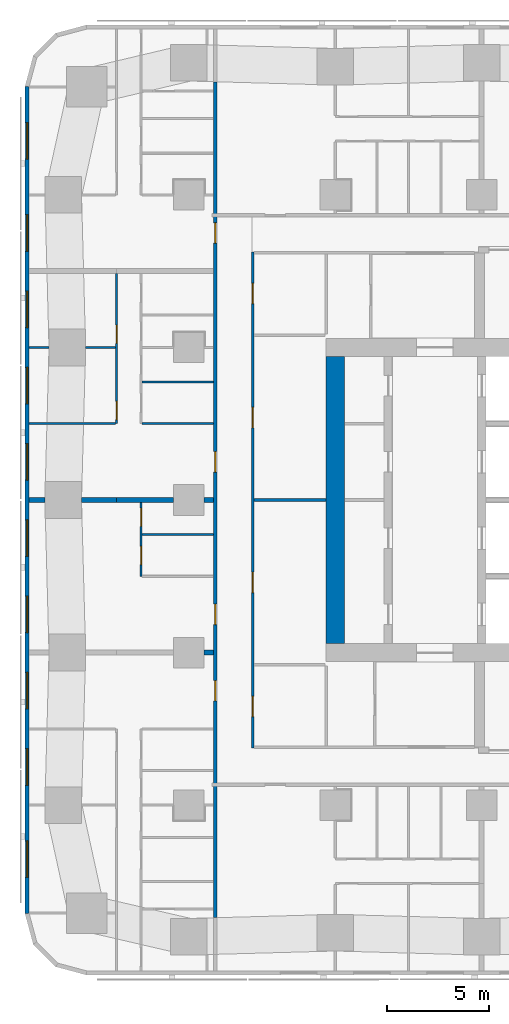
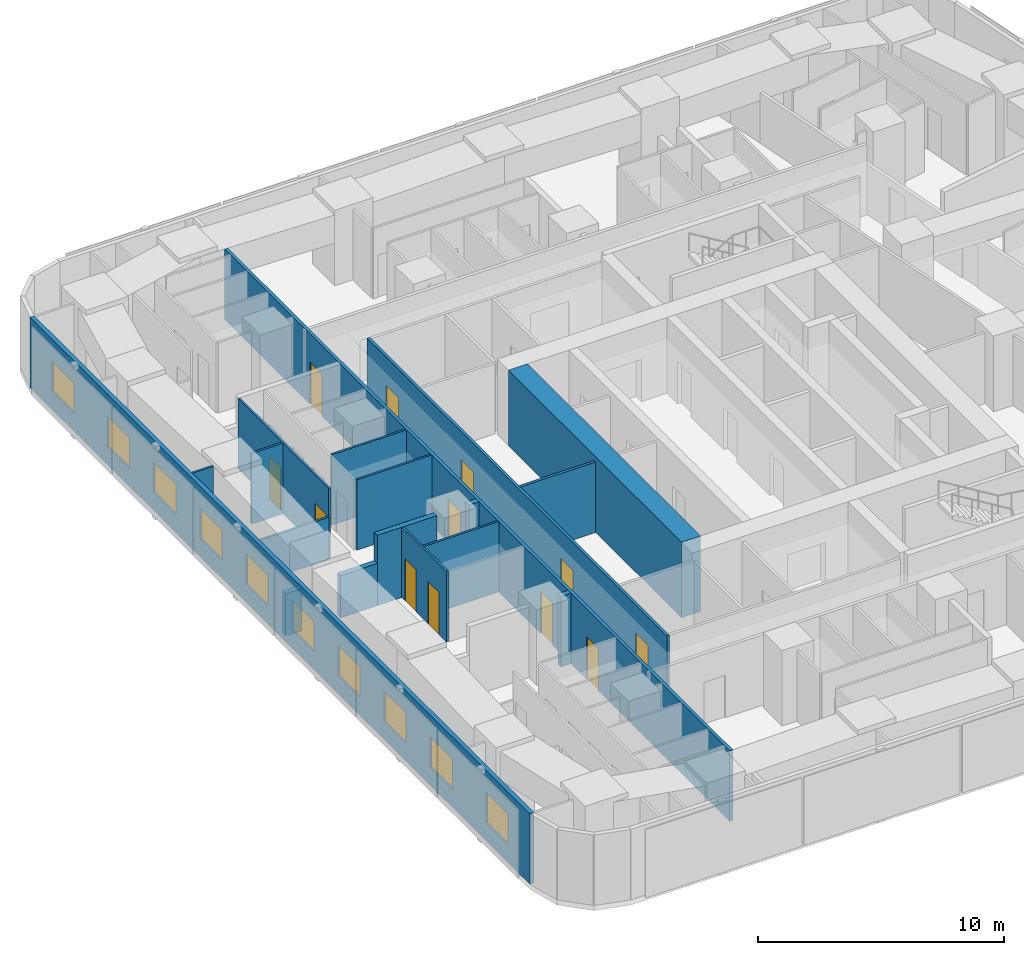
# One storey, part 4 of 15: 18 walls, 12 doors, 10 windows, 22 openings.
"""IFC4 building model written with IfcOpenShell, lengths in metres."""

from ifc_helpers import new_model, si_unit, direction, frame, frame_2d, origin, place, context, subcontext, project, spatial, rectangle, extrude, material, layer, layer_set, type_object, element, fill, save


model = new_model("IFC4")

# Units and contexts
model_context = context("Model", 3, precision=1e-05, world=origin(), true_north=direction((0.0, 1.0)))
body_context = subcontext(model_context, "Body", "Model", "MODEL_VIEW")
ifc_project = project(units=[si_unit("LENGTHUNIT", "METRE"), si_unit("AREAUNIT", "SQUARE_METRE"), si_unit("VOLUMEUNIT", "CUBIC_METRE"), si_unit("PLANEANGLEUNIT", "RADIAN"), si_unit("MASSUNIT", "GRAM", prefix="KILO")], contexts=[model_context])

# Site, building, storey
site_placement = place(None, origin())
site = spatial("IfcSite", under=ifc_project, at=site_placement, CompositionType="ELEMENT")
building_placement = place(site_placement, origin())
building = spatial("IfcBuilding", under=site, at=building_placement, Name="Sheger Commons Tower", CompositionType="ELEMENT")
storey_placement = place(building_placement, frame((0.0, 0.0, 180.800048828125)))
storey = spatial("IfcBuildingStorey", under=building, at=storey_placement, Name="L46", CompositionType="ELEMENT", Elevation=180.800048828125)

# Wall
ifc_material_1 = material(Name="Concrete C50/60", Category="concrete")
ifc_layer_1 = layer(ifc_material_1, 0.89990234375)
ifc_layer_set_1 = layer_set([ifc_layer_1], Name="CORE WALL 900")
wall_type_1 = type_object("IfcWallType", Name="CORE WALL 900", PredefinedType="SHEAR", material=ifc_layer_set_1)
wall_1_placement = place(storey_placement, frame((14.39990234375, 15.449951171875, 0.0), z_axis=(0.0, 0.0, 1.0), x_axis=(0.0, 1.0, 0.0)))
element("IfcWall", 1, at=wall_1_placement, inside=storey, type_object=wall_type_1, Name="Core wall west L46", PredefinedType="SHEAR", context=body_context, shape_type="SweptSolid", body=[
    extrude(rectangle(XDim=14.10009765625, YDim=0.89990234375, at=frame_2d((7.050048828125, 0.0))), origin(), (0.0, 0.0, 1.0), 3.75),
])

# Wall, openings, doors
ifc_material_2 = material(Name="Hollow concrete block masonry, skimmed both sides", Category="masonry")
ifc_layer_2 = layer(ifc_material_2, 0.14990234375)
ifc_layer_set_2 = layer_set([ifc_layer_2], Name="CORRIDOR WALL 150")
wall_type_2 = type_object("IfcWallType", Name="CORRIDOR WALL 150", PredefinedType="SOLIDWALL", material=ifc_layer_set_2)
wall_2_placement = place(storey_placement, frame((8.5, 1.964111328125, 0.0), z_axis=(0.0, 0.0, 1.0), x_axis=(0.0, 1.0, 0.0)))
wall_2 = element("IfcWall", 2, at=wall_2_placement, inside=storey, type_object=wall_type_2, Name="Corridor wall L46", PredefinedType="SOLIDWALL", context=body_context, shape_type="SweptSolid", body=[
    extrude(rectangle(XDim=41.096923828125, YDim=0.14990234375, at=frame_2d((20.54833984375, 0.0))), origin(), (0.0, 0.0, 1.0), 3.5),
])
opening_1_placement = place(wall_2_placement, frame((10.660888671875, 0.0, 0.0)))
opening_1 = element("IfcOpeningElement", 3, at=opening_1_placement, cuts=wall_2, Name="Opening D1", PredefinedType="OPENING", context=body_context, shape_type="SweptSolid", body=[
    extrude(rectangle(XDim=1.0, YDim=2.10009765625, at=frame_2d((0.5, 1.050048828125))), frame((0.0, 0.0849609375, 0.0), z_axis=(0.0, -1.0, 0.0), x_axis=(1.0, 0.0, 0.0)), (0.0, 0.0, 1.0), 0.169921875),
])
opening_2_placement = place(wall_2_placement, frame((14.410888671875, 0.0, 0.0)))
opening_2 = element("IfcOpeningElement", 4, at=opening_2_placement, cuts=wall_2, Name="Opening D1", PredefinedType="OPENING", context=body_context, shape_type="SweptSolid", body=[
    extrude(rectangle(XDim=1.0, YDim=2.10009765625, at=frame_2d((0.5, 1.050048828125))), frame((0.0, 0.0849609375, 0.0), z_axis=(0.0, -1.0, 0.0), x_axis=(1.0, 0.0, 0.0)), (0.0, 0.0, 1.0), 0.169921875),
])
opening_3_placement = place(wall_2_placement, frame((21.910888671875, 0.0, 0.0)))
opening_3 = element("IfcOpeningElement", 5, at=opening_3_placement, cuts=wall_2, Name="Opening D1", PredefinedType="OPENING", context=body_context, shape_type="SweptSolid", body=[
    extrude(rectangle(XDim=1.0, YDim=2.10009765625, at=frame_2d((0.5, 1.050048828125))), frame((0.0, 0.0849609375, 0.0), z_axis=(0.0, -1.0, 0.0), x_axis=(1.0, 0.0, 0.0)), (0.0, 0.0, 1.0), 0.169921875),
])
opening_4_placement = place(wall_2_placement, frame((33.160888671875, 0.0, 0.0)))
opening_4 = element("IfcOpeningElement", 6, at=opening_4_placement, cuts=wall_2, Name="Opening D1", PredefinedType="OPENING", context=body_context, shape_type="SweptSolid", body=[
    extrude(rectangle(XDim=1.0, YDim=2.10009765625, at=frame_2d((0.5, 1.050048828125))), frame((0.0, 0.0849609375, 0.0), z_axis=(0.0, -1.0, 0.0), x_axis=(1.0, 0.0, 0.0)), (0.0, 0.0, 1.0), 0.169921875),
])
ifc_material_3 = material(Name="Steel door set, fire rated", Category="steel")
door_type_1 = type_object("IfcDoorType", Name="FLAT ENTRANCE DOOR 1000x2100", OperationType="NOTDEFINED", PredefinedType="DOOR", material=ifc_material_3)
door_1_placement = place(opening_1_placement, origin())
door_1 = element("IfcDoor", 7, at=door_1_placement, inside=storey, type_object=door_type_1, Name="Flat entrance door", OperationType="SINGLE_SWING_LEFT", OverallHeight=2.10009765625, OverallWidth=1.0, PredefinedType="DOOR", context=body_context, shape_type="SweptSolid", body=[
    extrude(rectangle(XDim=1.0, YDim=2.10009765625, at=frame_2d((0.5, 1.050048828125))), frame((0.0, 0.02490234375, 0.0), z_axis=(0.0, -1.0, 0.0), x_axis=(1.0, 0.0, 0.0)), (0.0, 0.0, 1.0), 0.050048828125),
])
fill(opening_1, door_1)
door_2_placement = place(opening_2_placement, origin())
door_2 = element("IfcDoor", 8, at=door_2_placement, inside=storey, type_object=door_type_1, Name="Flat entrance door", OperationType="SINGLE_SWING_RIGHT", OverallHeight=2.10009765625, OverallWidth=1.0, PredefinedType="DOOR", context=body_context, shape_type="SweptSolid", body=[
    extrude(rectangle(XDim=1.0, YDim=2.10009765625, at=frame_2d((0.5, 1.050048828125))), frame((0.0, 0.02490234375, 0.0), z_axis=(0.0, -1.0, 0.0), x_axis=(1.0, 0.0, 0.0)), (0.0, 0.0, 1.0), 0.050048828125),
])
fill(opening_2, door_2)
door_3_placement = place(opening_3_placement, origin())
door_3 = element("IfcDoor", 9, at=door_3_placement, inside=storey, type_object=door_type_1, Name="Flat entrance door", OperationType="SINGLE_SWING_LEFT", OverallHeight=2.10009765625, OverallWidth=1.0, PredefinedType="DOOR", context=body_context, shape_type="SweptSolid", body=[
    extrude(rectangle(XDim=1.0, YDim=2.10009765625, at=frame_2d((0.5, 1.050048828125))), frame((0.0, 0.02490234375, 0.0), z_axis=(0.0, -1.0, 0.0), x_axis=(1.0, 0.0, 0.0)), (0.0, 0.0, 1.0), 0.050048828125),
])
fill(opening_3, door_3)
door_4_placement = place(opening_4_placement, origin())
door_4 = element("IfcDoor", 10, at=door_4_placement, inside=storey, type_object=door_type_1, Name="Flat entrance door", OperationType="SINGLE_SWING_RIGHT", OverallHeight=2.10009765625, OverallWidth=1.0, PredefinedType="DOOR", context=body_context, shape_type="SweptSolid", body=[
    extrude(rectangle(XDim=1.0, YDim=2.10009765625, at=frame_2d((0.5, 1.050048828125))), frame((0.0, 0.02490234375, 0.0), z_axis=(0.0, -1.0, 0.0), x_axis=(1.0, 0.0, 0.0)), (0.0, 0.0, 1.0), 0.050048828125),
])
fill(opening_4, door_4)

# Walls
ifc_material_4 = material(Name="Dense concrete block masonry, plastered both sides (separating wall between flats)", Category="masonry")
ifc_layer_3 = layer(ifc_material_4, 0.25)
ifc_layer_set_3 = layer_set([ifc_layer_3], Name="DEMISING WALL 250")
wall_type_3 = type_object("IfcWallType", Name="DEMISING WALL 250", PredefinedType="SOLIDWALL", material=ifc_layer_set_3)
wall_3_placement = place(storey_placement, frame((7.950927734375, 15.0, 0.0), z_axis=(0.0, 0.0, 1.0), x_axis=(1.0, 0.0, 0.0)))
element("IfcWall", 11, at=wall_3_placement, inside=storey, type_object=wall_type_3, Name="Demising wall L46", PredefinedType="SOLIDWALL", context=body_context, shape_type="SweptSolid", body=[
    extrude(rectangle(XDim=0.47412109375, YDim=0.25, at=frame_2d((0.237060546875, 0.0))), origin(), (0.0, 0.0, 1.0), 3.5),
])
wall_4_placement = place(storey_placement, frame((-0.64990234375, 22.5, 0.0), z_axis=(0.0, 0.0, 1.0), x_axis=(1.0, 0.0, 0.0)))
element("IfcWall", 12, at=wall_4_placement, inside=storey, type_object=wall_type_3, Name="Demising wall L46", PredefinedType="SOLIDWALL", context=body_context, shape_type="SweptSolid", body=[
    extrude(rectangle(XDim=0.77392578125, YDim=0.25, at=frame_2d((0.386962890625, 0.0))), origin(), (0.0, 0.0, 1.0), 2.099853515625),
])
wall_5_placement = place(storey_placement, frame((1.926025390625, 22.5, 0.0), z_axis=(0.0, 0.0, 1.0), x_axis=(1.0, 0.0, 0.0)))
element("IfcWall", 13, at=wall_5_placement, inside=storey, type_object=wall_type_3, Name="Demising wall L46", PredefinedType="SOLIDWALL", context=body_context, shape_type="SweptSolid", body=[
    extrude(rectangle(XDim=1.723876953125, YDim=0.25, at=frame_2d((0.86181640625, 0.0))), origin(), (0.0, 0.0, 1.0), 2.099853515625),
])
wall_6_placement = place(storey_placement, frame((3.64990234375, 22.5, 0.0), z_axis=(0.0, 0.0, 1.0), x_axis=(1.0, 0.0, 0.0)))
element("IfcWall", 14, at=wall_6_placement, inside=storey, type_object=wall_type_3, Name="Demising wall L46", PredefinedType="SOLIDWALL", context=body_context, shape_type="SweptSolid", body=[
    extrude(rectangle(XDim=2.799072265625, YDim=0.25, at=frame_2d((1.3994140625, 0.0))), origin(), (0.0, 0.0, 1.0), 3.5),
])
wall_7_placement = place(storey_placement, frame((7.950927734375, 22.5, 0.0), z_axis=(0.0, 0.0, 1.0), x_axis=(1.0, 0.0, 0.0)))
element("IfcWall", 15, at=wall_7_placement, inside=storey, type_object=wall_type_3, Name="Demising wall L46", PredefinedType="SOLIDWALL", context=body_context, shape_type="SweptSolid", body=[
    extrude(rectangle(XDim=0.47412109375, YDim=0.25, at=frame_2d((0.237060546875, 0.0))), origin(), (0.0, 0.0, 1.0), 3.5),
])

# Wall, openings, windows
ifc_material_5 = material(Name="Rendered concrete block masonry, dark grey", Category="masonry")
ifc_layer_4 = layer(ifc_material_5, 0.199951171875)
ifc_layer_set_4 = layer_set([ifc_layer_4], Name="FACADE WALL 200")
wall_type_4 = type_object("IfcWallType", Name="FACADE WALL 200", PredefinedType="SOLIDWALL", material=ifc_layer_set_4)
wall_8_placement = place(storey_placement, frame((-0.75, 42.8369140625, 0.0), z_axis=(0.0, 0.0, 1.0), x_axis=(0.0, -1.0, 0.0)))
wall_8 = element("IfcWall", 16, at=wall_8_placement, inside=storey, type_object=wall_type_4, Name="Facade wall L46", PredefinedType="SOLIDWALL", context=body_context, shape_type="SweptSolid", body=[
    extrude(rectangle(XDim=40.673828125, YDim=0.199951171875, at=frame_2d((20.3369140625, 0.0))), origin(), (0.0, 0.0, 1.0), 3.5),
])
opening_5_placement = place(wall_8_placement, frame((1.780029296875, 0.0, 0.89990234375)))
opening_5 = element("IfcOpeningElement", 17, at=opening_5_placement, cuts=wall_8, Name="Opening W2", PredefinedType="OPENING", context=body_context, shape_type="SweptSolid", body=[
    extrude(rectangle(XDim=1.800048828125, YDim=1.5, at=frame_2d((0.89990234375, 0.75))), frame((0.0, 0.10986328125, 0.0), z_axis=(0.0, -1.0, 0.0), x_axis=(1.0, 0.0, 0.0)), (0.0, 0.0, 1.0), 0.219970703125),
])
opening_6_placement = place(wall_8_placement, frame((6.31201171875, 0.0, 0.89990234375)))
opening_6 = element("IfcOpeningElement", 18, at=opening_6_placement, cuts=wall_8, Name="Opening W2", PredefinedType="OPENING", context=body_context, shape_type="SweptSolid", body=[
    extrude(rectangle(XDim=1.800048828125, YDim=1.5, at=frame_2d((0.89990234375, 0.75))), frame((0.0, 0.10986328125, 0.0), z_axis=(0.0, -1.0, 0.0), x_axis=(1.0, 0.0, 0.0)), (0.0, 0.0, 1.0), 0.219970703125),
])
opening_7_placement = place(wall_8_placement, frame((10.06201171875, 0.0, 0.89990234375)))
opening_7 = element("IfcOpeningElement", 19, at=opening_7_placement, cuts=wall_8, Name="Opening W2", PredefinedType="OPENING", context=body_context, shape_type="SweptSolid", body=[
    extrude(rectangle(XDim=1.800048828125, YDim=1.5, at=frame_2d((0.89990234375, 0.75))), frame((0.0, 0.10986328125, 0.0), z_axis=(0.0, -1.0, 0.0), x_axis=(1.0, 0.0, 0.0)), (0.0, 0.0, 1.0), 0.219970703125),
])
opening_8_placement = place(wall_8_placement, frame((13.81201171875, 0.0, 0.89990234375)))
opening_8 = element("IfcOpeningElement", 20, at=opening_8_placement, cuts=wall_8, Name="Opening W2", PredefinedType="OPENING", context=body_context, shape_type="SweptSolid", body=[
    extrude(rectangle(XDim=1.800048828125, YDim=1.5, at=frame_2d((0.89990234375, 0.75))), frame((0.0, 0.10986328125, 0.0), z_axis=(0.0, -1.0, 0.0), x_axis=(1.0, 0.0, 0.0)), (0.0, 0.0, 1.0), 0.219970703125),
])
opening_9_placement = place(wall_8_placement, frame((17.56201171875, 0.0, 0.89990234375)))
opening_9 = element("IfcOpeningElement", 21, at=opening_9_placement, cuts=wall_8, Name="Opening W2", PredefinedType="OPENING", context=body_context, shape_type="SweptSolid", body=[
    extrude(rectangle(XDim=1.800048828125, YDim=1.5, at=frame_2d((0.89990234375, 0.75))), frame((0.0, 0.10986328125, 0.0), z_axis=(0.0, -1.0, 0.0), x_axis=(1.0, 0.0, 0.0)), (0.0, 0.0, 1.0), 0.219970703125),
])
opening_10_placement = place(wall_8_placement, frame((21.31201171875, 0.0, 0.89990234375)))
opening_10 = element("IfcOpeningElement", 22, at=opening_10_placement, cuts=wall_8, Name="Opening W2", PredefinedType="OPENING", context=body_context, shape_type="SweptSolid", body=[
    extrude(rectangle(XDim=1.800048828125, YDim=1.5, at=frame_2d((0.89990234375, 0.75))), frame((0.0, 0.10986328125, 0.0), z_axis=(0.0, -1.0, 0.0), x_axis=(1.0, 0.0, 0.0)), (0.0, 0.0, 1.0), 0.219970703125),
])
opening_11_placement = place(wall_8_placement, frame((25.06201171875, 0.0, 0.89990234375)))
opening_11 = element("IfcOpeningElement", 23, at=opening_11_placement, cuts=wall_8, Name="Opening W2", PredefinedType="OPENING", context=body_context, shape_type="SweptSolid", body=[
    extrude(rectangle(XDim=1.800048828125, YDim=1.5, at=frame_2d((0.89990234375, 0.75))), frame((0.0, 0.10986328125, 0.0), z_axis=(0.0, -1.0, 0.0), x_axis=(1.0, 0.0, 0.0)), (0.0, 0.0, 1.0), 0.219970703125),
])
opening_12_placement = place(wall_8_placement, frame((28.81201171875, 0.0, 0.89990234375)))
opening_12 = element("IfcOpeningElement", 24, at=opening_12_placement, cuts=wall_8, Name="Opening W2", PredefinedType="OPENING", context=body_context, shape_type="SweptSolid", body=[
    extrude(rectangle(XDim=1.800048828125, YDim=1.5, at=frame_2d((0.89990234375, 0.75))), frame((0.0, 0.10986328125, 0.0), z_axis=(0.0, -1.0, 0.0), x_axis=(1.0, 0.0, 0.0)), (0.0, 0.0, 1.0), 0.219970703125),
])
opening_13_placement = place(wall_8_placement, frame((32.56201171875, 0.0, 0.89990234375)))
opening_13 = element("IfcOpeningElement", 25, at=opening_13_placement, cuts=wall_8, Name="Opening W2", PredefinedType="OPENING", context=body_context, shape_type="SweptSolid", body=[
    extrude(rectangle(XDim=1.800048828125, YDim=1.5, at=frame_2d((0.89990234375, 0.75))), frame((0.0, 0.10986328125, 0.0), z_axis=(0.0, -1.0, 0.0), x_axis=(1.0, 0.0, 0.0)), (0.0, 0.0, 1.0), 0.219970703125),
])
opening_14_placement = place(wall_8_placement, frame((37.093994140625, 0.0, 0.89990234375)))
opening_14 = element("IfcOpeningElement", 26, at=opening_14_placement, cuts=wall_8, Name="Opening W2", PredefinedType="OPENING", context=body_context, shape_type="SweptSolid", body=[
    extrude(rectangle(XDim=1.800048828125, YDim=1.5, at=frame_2d((0.89990234375, 0.75))), frame((0.0, 0.10986328125, 0.0), z_axis=(0.0, -1.0, 0.0), x_axis=(1.0, 0.0, 0.0)), (0.0, 0.0, 1.0), 0.219970703125),
])
ifc_material_6 = material(Name="Black aluminium frame, dark tinted double glazing", Category="aluminium")
window_type = type_object("IfcWindowType", Name="WINDOW W2 1800x1500", PartitioningType="SINGLE_PANEL", PredefinedType="WINDOW", material=ifc_material_6)
window_1_placement = place(opening_5_placement, origin())
window_1 = element("IfcWindow", 27, at=window_1_placement, inside=storey, type_object=window_type, Name="Window W2 1800X1500", OverallHeight=1.5, OverallWidth=1.800048828125, PartitioningType="SINGLE_PANEL", PredefinedType="WINDOW", context=body_context, shape_type="SweptSolid", body=[
    extrude(rectangle(XDim=1.800048828125, YDim=1.5, at=frame_2d((0.89990234375, 0.75))), frame((0.0, 0.030029296875, 0.0), z_axis=(0.0, -1.0, 0.0), x_axis=(1.0, 0.0, 0.0)), (0.0, 0.0, 1.0), 0.06005859375),
])
fill(opening_5, window_1)
window_2_placement = place(opening_6_placement, origin())
window_2 = element("IfcWindow", 28, at=window_2_placement, inside=storey, type_object=window_type, Name="Window W2 1800X1500", OverallHeight=1.5, OverallWidth=1.800048828125, PartitioningType="SINGLE_PANEL", PredefinedType="WINDOW", context=body_context, shape_type="SweptSolid", body=[
    extrude(rectangle(XDim=1.800048828125, YDim=1.5, at=frame_2d((0.89990234375, 0.75))), frame((0.0, 0.030029296875, 0.0), z_axis=(0.0, -1.0, 0.0), x_axis=(1.0, 0.0, 0.0)), (0.0, 0.0, 1.0), 0.06005859375),
])
fill(opening_6, window_2)
window_3_placement = place(opening_7_placement, origin())
window_3 = element("IfcWindow", 29, at=window_3_placement, inside=storey, type_object=window_type, Name="Window W2 1800X1500", OverallHeight=1.5, OverallWidth=1.800048828125, PartitioningType="SINGLE_PANEL", PredefinedType="WINDOW", context=body_context, shape_type="SweptSolid", body=[
    extrude(rectangle(XDim=1.800048828125, YDim=1.5, at=frame_2d((0.89990234375, 0.75))), frame((0.0, 0.030029296875, 0.0), z_axis=(0.0, -1.0, 0.0), x_axis=(1.0, 0.0, 0.0)), (0.0, 0.0, 1.0), 0.06005859375),
])
fill(opening_7, window_3)
window_4_placement = place(opening_8_placement, origin())
window_4 = element("IfcWindow", 30, at=window_4_placement, inside=storey, type_object=window_type, Name="Window W2 1800X1500", OverallHeight=1.5, OverallWidth=1.800048828125, PartitioningType="SINGLE_PANEL", PredefinedType="WINDOW", context=body_context, shape_type="SweptSolid", body=[
    extrude(rectangle(XDim=1.800048828125, YDim=1.5, at=frame_2d((0.89990234375, 0.75))), frame((0.0, 0.030029296875, 0.0), z_axis=(0.0, -1.0, 0.0), x_axis=(1.0, 0.0, 0.0)), (0.0, 0.0, 1.0), 0.06005859375),
])
fill(opening_8, window_4)
window_5_placement = place(opening_9_placement, origin())
window_5 = element("IfcWindow", 31, at=window_5_placement, inside=storey, type_object=window_type, Name="Window W2 1800X1500", OverallHeight=1.5, OverallWidth=1.800048828125, PartitioningType="SINGLE_PANEL", PredefinedType="WINDOW", context=body_context, shape_type="SweptSolid", body=[
    extrude(rectangle(XDim=1.800048828125, YDim=1.5, at=frame_2d((0.89990234375, 0.75))), frame((0.0, 0.030029296875, 0.0), z_axis=(0.0, -1.0, 0.0), x_axis=(1.0, 0.0, 0.0)), (0.0, 0.0, 1.0), 0.06005859375),
])
fill(opening_9, window_5)
window_6_placement = place(opening_10_placement, origin())
window_6 = element("IfcWindow", 32, at=window_6_placement, inside=storey, type_object=window_type, Name="Window W2 1800X1500", OverallHeight=1.5, OverallWidth=1.800048828125, PartitioningType="SINGLE_PANEL", PredefinedType="WINDOW", context=body_context, shape_type="SweptSolid", body=[
    extrude(rectangle(XDim=1.800048828125, YDim=1.5, at=frame_2d((0.89990234375, 0.75))), frame((0.0, 0.030029296875, 0.0), z_axis=(0.0, -1.0, 0.0), x_axis=(1.0, 0.0, 0.0)), (0.0, 0.0, 1.0), 0.06005859375),
])
fill(opening_10, window_6)
window_7_placement = place(opening_11_placement, origin())
window_7 = element("IfcWindow", 33, at=window_7_placement, inside=storey, type_object=window_type, Name="Window W2 1800X1500", OverallHeight=1.5, OverallWidth=1.800048828125, PartitioningType="SINGLE_PANEL", PredefinedType="WINDOW", context=body_context, shape_type="SweptSolid", body=[
    extrude(rectangle(XDim=1.800048828125, YDim=1.5, at=frame_2d((0.89990234375, 0.75))), frame((0.0, 0.030029296875, 0.0), z_axis=(0.0, -1.0, 0.0), x_axis=(1.0, 0.0, 0.0)), (0.0, 0.0, 1.0), 0.06005859375),
])
fill(opening_11, window_7)
window_8_placement = place(opening_12_placement, origin())
window_8 = element("IfcWindow", 34, at=window_8_placement, inside=storey, type_object=window_type, Name="Window W2 1800X1500", OverallHeight=1.5, OverallWidth=1.800048828125, PartitioningType="SINGLE_PANEL", PredefinedType="WINDOW", context=body_context, shape_type="SweptSolid", body=[
    extrude(rectangle(XDim=1.800048828125, YDim=1.5, at=frame_2d((0.89990234375, 0.75))), frame((0.0, 0.030029296875, 0.0), z_axis=(0.0, -1.0, 0.0), x_axis=(1.0, 0.0, 0.0)), (0.0, 0.0, 1.0), 0.06005859375),
])
fill(opening_12, window_8)
window_9_placement = place(opening_13_placement, origin())
window_9 = element("IfcWindow", 35, at=window_9_placement, inside=storey, type_object=window_type, Name="Window W2 1800X1500", OverallHeight=1.5, OverallWidth=1.800048828125, PartitioningType="SINGLE_PANEL", PredefinedType="WINDOW", context=body_context, shape_type="SweptSolid", body=[
    extrude(rectangle(XDim=1.800048828125, YDim=1.5, at=frame_2d((0.89990234375, 0.75))), frame((0.0, 0.030029296875, 0.0), z_axis=(0.0, -1.0, 0.0), x_axis=(1.0, 0.0, 0.0)), (0.0, 0.0, 1.0), 0.06005859375),
])
fill(opening_13, window_9)
window_10_placement = place(opening_14_placement, origin())
window_10 = element("IfcWindow", 36, at=window_10_placement, inside=storey, type_object=window_type, Name="Window W2 1800X1500", OverallHeight=1.5, OverallWidth=1.800048828125, PartitioningType="SINGLE_PANEL", PredefinedType="WINDOW", context=body_context, shape_type="SweptSolid", body=[
    extrude(rectangle(XDim=1.800048828125, YDim=1.5, at=frame_2d((0.89990234375, 0.75))), frame((0.0, 0.030029296875, 0.0), z_axis=(0.0, -1.0, 0.0), x_axis=(1.0, 0.0, 0.0)), (0.0, 0.0, 1.0), 0.06005859375),
])
fill(opening_14, window_10)

# Wall, openings, doors
ifc_material_7 = material(Name="Gypsum board on steel studs", Category="steel")
ifc_layer_5 = layer(ifc_material_7, 0.10009765625)
ifc_layer_set_5 = layer_set([ifc_layer_5], Name="PARTITION 100")
wall_type_5 = type_object("IfcWallType", Name="PARTITION 100", PredefinedType="PARTITIONING", material=ifc_layer_set_5)
wall_9_placement = place(storey_placement, frame((4.85009765625, 18.75, 0.0), z_axis=(0.0, 0.0, 1.0), x_axis=(0.0, 1.0, 0.0)))
wall_9 = element("IfcWall", 37, at=wall_9_placement, inside=storey, type_object=wall_type_5, Name="Partition L46", PredefinedType="PARTITIONING", context=body_context, shape_type="SweptSolid", body=[
    extrude(rectangle(XDim=3.625, YDim=0.10009765625, at=frame_2d((1.8125, 0.0))), origin(), (0.0, 0.0, 1.0), 3.5),
])
opening_15_placement = place(wall_9_placement, frame((0.574951171875, 0.0, 0.0)))
opening_15 = element("IfcOpeningElement", 38, at=opening_15_placement, cuts=wall_9, Name="Opening D2", PredefinedType="OPENING", context=body_context, shape_type="SweptSolid", body=[
    extrude(rectangle(XDim=0.89990234375, YDim=2.10009765625, at=frame_2d((0.449951171875, 1.050048828125))), frame((0.0, 0.06005859375, 0.0), z_axis=(0.0, -1.0, 0.0), x_axis=(1.0, 0.0, 0.0)), (0.0, 0.0, 1.0), 0.1201171875),
])
opening_16_placement = place(wall_9_placement, frame((2.449951171875, 0.0, 0.0)))
opening_16 = element("IfcOpeningElement", 39, at=opening_16_placement, cuts=wall_9, Name="Opening D2", PredefinedType="OPENING", context=body_context, shape_type="SweptSolid", body=[
    extrude(rectangle(XDim=0.89990234375, YDim=2.10009765625, at=frame_2d((0.449951171875, 1.050048828125))), frame((0.0, 0.06005859375, 0.0), z_axis=(0.0, -1.0, 0.0), x_axis=(1.0, 0.0, 0.0)), (0.0, 0.0, 1.0), 0.1201171875),
])
ifc_material_8 = material(Name="Timber door set", Category="wood")
door_type_2 = type_object("IfcDoorType", Name="INTERNAL DOOR 900x2100", OperationType="NOTDEFINED", PredefinedType="DOOR", material=ifc_material_8)
door_5_placement = place(opening_15_placement, origin())
door_5 = element("IfcDoor", 40, at=door_5_placement, inside=storey, type_object=door_type_2, Name="Bathroom door", OperationType="SINGLE_SWING_RIGHT", OverallHeight=2.10009765625, OverallWidth=0.89990234375, PredefinedType="DOOR", context=body_context, shape_type="SweptSolid", body=[
    extrude(rectangle(XDim=0.89990234375, YDim=2.10009765625, at=frame_2d((0.449951171875, 1.050048828125))), frame((0.0, 0.02490234375, 0.0), z_axis=(0.0, -1.0, 0.0), x_axis=(1.0, 0.0, 0.0)), (0.0, 0.0, 1.0), 0.050048828125),
])
fill(opening_15, door_5)
door_6_placement = place(opening_16_placement, origin())
door_6 = element("IfcDoor", 41, at=door_6_placement, inside=storey, type_object=door_type_2, Name="Store door", OperationType="SINGLE_SWING_LEFT", OverallHeight=2.10009765625, OverallWidth=0.89990234375, PredefinedType="DOOR", context=body_context, shape_type="SweptSolid", body=[
    extrude(rectangle(XDim=0.89990234375, YDim=2.10009765625, at=frame_2d((0.449951171875, 1.050048828125))), frame((0.0, 0.02490234375, 0.0), z_axis=(0.0, -1.0, 0.0), x_axis=(1.0, 0.0, 0.0)), (0.0, 0.0, 1.0), 0.050048828125),
])
fill(opening_16, door_6)

# Wall
wall_10_placement = place(storey_placement, frame((4.89990234375, 20.800048828125, 0.0), z_axis=(0.0, 0.0, 1.0), x_axis=(1.0, 0.0, 0.0)))
element("IfcWall", 42, at=wall_10_placement, inside=storey, type_object=wall_type_5, Name="Partition L46", PredefinedType="PARTITIONING", context=body_context, shape_type="SweptSolid", body=[
    extrude(rectangle(XDim=3.525146484375, YDim=0.10009765625, at=frame_2d((1.7626953125, 0.0))), origin(), (0.0, 0.0, 1.0), 3.5),
])

# Wall, openings, doors
wall_11_placement = place(storey_placement, frame((3.64990234375, 26.25, 0.0), z_axis=(0.0, 0.0, 1.0), x_axis=(0.0, 1.0, 0.0)))
wall_11 = element("IfcWall", 43, at=wall_11_placement, inside=storey, type_object=wall_type_5, Name="Partition L46", PredefinedType="PARTITIONING", context=body_context, shape_type="SweptSolid", body=[
    extrude(rectangle(XDim=7.375, YDim=0.10009765625, at=frame_2d((3.6875, 0.0))), origin(), (0.0, 0.0, 1.0), 3.5),
])
opening_17_placement = place(wall_11_placement, frame((0.199951171875, 0.0, 0.0)))
opening_17 = element("IfcOpeningElement", 44, at=opening_17_placement, cuts=wall_11, Name="Opening D2", PredefinedType="OPENING", context=body_context, shape_type="SweptSolid", body=[
    extrude(rectangle(XDim=0.89990234375, YDim=2.10009765625, at=frame_2d((0.449951171875, 1.050048828125))), frame((0.0, 0.06005859375, 0.0), z_axis=(0.0, -1.0, 0.0), x_axis=(1.0, 0.0, 0.0)), (0.0, 0.0, 1.0), 0.1201171875),
])
opening_18_placement = place(wall_11_placement, frame((3.949951171875, 0.0, 0.0)))
opening_18 = element("IfcOpeningElement", 45, at=opening_18_placement, cuts=wall_11, Name="Opening D2", PredefinedType="OPENING", context=body_context, shape_type="SweptSolid", body=[
    extrude(rectangle(XDim=0.89990234375, YDim=2.10009765625, at=frame_2d((0.449951171875, 1.050048828125))), frame((0.0, 0.06005859375, 0.0), z_axis=(0.0, -1.0, 0.0), x_axis=(1.0, 0.0, 0.0)), (0.0, 0.0, 1.0), 0.1201171875),
])
door_7_placement = place(opening_17_placement, origin())
door_7 = element("IfcDoor", 46, at=door_7_placement, inside=storey, type_object=door_type_2, Name="Main bedroom door", OperationType="SINGLE_SWING_LEFT", OverallHeight=2.10009765625, OverallWidth=0.89990234375, PredefinedType="DOOR", context=body_context, shape_type="SweptSolid", body=[
    extrude(rectangle(XDim=0.89990234375, YDim=2.10009765625, at=frame_2d((0.449951171875, 1.050048828125))), frame((0.0, 0.02490234375, 0.0), z_axis=(0.0, -1.0, 0.0), x_axis=(1.0, 0.0, 0.0)), (0.0, 0.0, 1.0), 0.050048828125),
])
fill(opening_17, door_7)
door_8_placement = place(opening_18_placement, origin())
door_8 = element("IfcDoor", 47, at=door_8_placement, inside=storey, type_object=door_type_2, Name="Bedroom 2 door", OperationType="SINGLE_SWING_LEFT", OverallHeight=2.10009765625, OverallWidth=0.89990234375, PredefinedType="DOOR", context=body_context, shape_type="SweptSolid", body=[
    extrude(rectangle(XDim=0.89990234375, YDim=2.10009765625, at=frame_2d((0.449951171875, 1.050048828125))), frame((0.0, 0.02490234375, 0.0), z_axis=(0.0, -1.0, 0.0), x_axis=(1.0, 0.0, 0.0)), (0.0, 0.0, 1.0), 0.050048828125),
])
fill(opening_18, door_8)

# Walls
wall_12_placement = place(storey_placement, frame((-0.64990234375, 26.25, 0.0), z_axis=(0.0, 0.0, 1.0), x_axis=(1.0, 0.0, 0.0)))
element("IfcWall", 48, at=wall_12_placement, inside=storey, type_object=wall_type_5, Name="Partition L46", PredefinedType="PARTITIONING", context=body_context, shape_type="SweptSolid", body=[
    extrude(rectangle(XDim=4.25, YDim=0.10009765625, at=frame_2d((2.125, 0.0))), origin(), (0.0, 0.0, 1.0), 2.099853515625),
])
wall_13_placement = place(storey_placement, frame((-0.64990234375, 30.0, 0.0), z_axis=(0.0, 0.0, 1.0), x_axis=(1.0, 0.0, 0.0)))
element("IfcWall", 49, at=wall_13_placement, inside=storey, type_object=wall_type_5, Name="Partition L46", PredefinedType="PARTITIONING", context=body_context, shape_type="SweptSolid", body=[
    extrude(rectangle(XDim=0.973876953125, YDim=0.10009765625, at=frame_2d((0.48681640625, 0.0))), origin(), (0.0, 0.0, 1.0), 3.5),
])
wall_14_placement = place(storey_placement, frame((2.1259765625, 30.0, 0.0), z_axis=(0.0, 0.0, 1.0), x_axis=(1.0, 0.0, 0.0)))
element("IfcWall", 50, at=wall_14_placement, inside=storey, type_object=wall_type_5, Name="Partition L46", PredefinedType="PARTITIONING", context=body_context, shape_type="SweptSolid", body=[
    extrude(rectangle(XDim=1.47412109375, YDim=0.10009765625, at=frame_2d((0.737060546875, 0.0))), origin(), (0.0, 0.0, 1.0), 3.5),
])
for number, where, z_axis, x_axis, name in (
    (51, (4.89990234375, 26.25, 0.0), (0.0, 0.0, 1.0), (1.0, 0.0, 0.0), "Partition L46"),
    (52, (4.89990234375, 28.300048828125, 0.0), (0.0, 0.0, 1.0), (1.0, 0.0, 0.0), "Partition L46"),
):
    element("IfcWall", number, at=place(storey_placement, frame(where, z_axis=z_axis, x_axis=x_axis)), inside=storey, type_object=wall_type_5, Name=name, PredefinedType="PARTITIONING", context=body_context, shape_type="SweptSolid", body=[
        extrude(rectangle(XDim=3.525146484375, YDim=0.10009765625, at=frame_2d((1.7626953125, 0.0))), origin(), (0.0, 0.0, 1.0), 3.5),
    ])

# Wall, openings, doors
ifc_material_9 = material(Name="Gypsum board on steel studs, two layers each side, fire rated", Category="steel")
ifc_layer_6 = layer(ifc_material_9, 0.125)
ifc_layer_set_6 = layer_set([ifc_layer_6], Name="SERVICE WALL 125")
wall_type_6 = type_object("IfcWallType", Name="SERVICE WALL 125", PredefinedType="PARTITIONING", material=ifc_layer_set_6)
wall_15_placement = place(storey_placement, frame((10.35009765625, 10.300048828125, 0.0), z_axis=(0.0, 0.0, 1.0), x_axis=(0.0, 1.0, 0.0)))
wall_15 = element("IfcWall", 53, at=wall_15_placement, inside=storey, type_object=wall_type_6, Name="Service room wall L46", PredefinedType="PARTITIONING", context=body_context, shape_type="SweptSolid", body=[
    extrude(rectangle(XDim=24.39990234375, YDim=0.125, at=frame_2d((12.199951171875, 0.0))), origin(), (0.0, 0.0, 1.0), 3.5),
])
opening_19_placement = place(wall_15_placement, frame((1.550048828125, 0.0, 0.0)))
opening_19 = element("IfcOpeningElement", 54, at=opening_19_placement, cuts=wall_15, Name="Opening D4", PredefinedType="OPENING", context=body_context, shape_type="SweptSolid", body=[
    extrude(rectangle(XDim=1.0, YDim=2.10009765625, at=frame_2d((0.5, 1.050048828125))), frame((0.0, 0.072509765625, 0.0), z_axis=(0.0, -1.0, 0.0), x_axis=(1.0, 0.0, 0.0)), (0.0, 0.0, 1.0), 0.14501953125),
])
opening_20_placement = place(wall_15_placement, frame((7.64990234375, 0.0, 0.0)))
opening_20 = element("IfcOpeningElement", 55, at=opening_20_placement, cuts=wall_15, Name="Opening D4", PredefinedType="OPENING", context=body_context, shape_type="SweptSolid", body=[
    extrude(rectangle(XDim=1.0, YDim=2.10009765625, at=frame_2d((0.5, 1.050048828125))), frame((0.0, 0.072509765625, 0.0), z_axis=(0.0, -1.0, 0.0), x_axis=(1.0, 0.0, 0.0)), (0.0, 0.0, 1.0), 0.14501953125),
])
opening_21_placement = place(wall_15_placement, frame((15.75, 0.0, 0.0)))
opening_21 = element("IfcOpeningElement", 56, at=opening_21_placement, cuts=wall_15, Name="Opening D4", PredefinedType="OPENING", context=body_context, shape_type="SweptSolid", body=[
    extrude(rectangle(XDim=1.0, YDim=2.10009765625, at=frame_2d((0.5, 1.050048828125))), frame((0.0, 0.072509765625, 0.0), z_axis=(0.0, -1.0, 0.0), x_axis=(1.0, 0.0, 0.0)), (0.0, 0.0, 1.0), 0.14501953125),
])
opening_22_placement = place(wall_15_placement, frame((21.85009765625, 0.0, 0.0)))
opening_22 = element("IfcOpeningElement", 57, at=opening_22_placement, cuts=wall_15, Name="Opening D4", PredefinedType="OPENING", context=body_context, shape_type="SweptSolid", body=[
    extrude(rectangle(XDim=1.0, YDim=2.10009765625, at=frame_2d((0.5, 1.050048828125))), frame((0.0, 0.072509765625, 0.0), z_axis=(0.0, -1.0, 0.0), x_axis=(1.0, 0.0, 0.0)), (0.0, 0.0, 1.0), 0.14501953125),
])
ifc_material_10 = material(Name="Steel door set, fire rated", Category="steel")
door_type_3 = type_object("IfcDoorType", Name="SERVICE DOOR 1000x2100", OperationType="NOTDEFINED", PredefinedType="DOOR", material=ifc_material_10)
door_9_placement = place(opening_19_placement, origin())
door_9 = element("IfcDoor", 58, at=door_9_placement, inside=storey, type_object=door_type_3, Name="Refuse chute room door", OperationType="SINGLE_SWING_RIGHT", OverallHeight=2.10009765625, OverallWidth=1.0, PredefinedType="DOOR", context=body_context, shape_type="SweptSolid", body=[
    extrude(rectangle(XDim=1.0, YDim=2.10009765625, at=frame_2d((0.5, 1.050048828125))), frame((0.0, 0.02490234375, 0.0), z_axis=(0.0, -1.0, 0.0), x_axis=(1.0, 0.0, 0.0)), (0.0, 0.0, 1.0), 0.050048828125),
])
fill(opening_19, door_9)
door_10_placement = place(opening_20_placement, origin())
door_10 = element("IfcDoor", 59, at=door_10_placement, inside=storey, type_object=door_type_3, Name="Laundry and drying room door", OperationType="SINGLE_SWING_LEFT", OverallHeight=2.10009765625, OverallWidth=1.0, PredefinedType="DOOR", context=body_context, shape_type="SweptSolid", body=[
    extrude(rectangle(XDim=1.0, YDim=2.10009765625, at=frame_2d((0.5, 1.050048828125))), frame((0.0, 0.02490234375, 0.0), z_axis=(0.0, -1.0, 0.0), x_axis=(1.0, 0.0, 0.0)), (0.0, 0.0, 1.0), 0.050048828125),
])
fill(opening_20, door_10)
door_11_placement = place(opening_21_placement, origin())
door_11 = element("IfcDoor", 60, at=door_11_placement, inside=storey, type_object=door_type_3, Name="Residents' store door", OperationType="SINGLE_SWING_LEFT", OverallHeight=2.10009765625, OverallWidth=1.0, PredefinedType="DOOR", context=body_context, shape_type="SweptSolid", body=[
    extrude(rectangle(XDim=1.0, YDim=2.10009765625, at=frame_2d((0.5, 1.050048828125))), frame((0.0, 0.02490234375, 0.0), z_axis=(0.0, -1.0, 0.0), x_axis=(1.0, 0.0, 0.0)), (0.0, 0.0, 1.0), 0.050048828125),
])
fill(opening_21, door_11)
door_12_placement = place(opening_22_placement, origin())
door_12 = element("IfcDoor", 61, at=door_12_placement, inside=storey, type_object=door_type_3, Name="Cleaner's store door", OperationType="SINGLE_SWING_LEFT", OverallHeight=2.10009765625, OverallWidth=1.0, PredefinedType="DOOR", context=body_context, shape_type="SweptSolid", body=[
    extrude(rectangle(XDim=1.0, YDim=2.10009765625, at=frame_2d((0.5, 1.050048828125))), frame((0.0, 0.02490234375, 0.0), z_axis=(0.0, -1.0, 0.0), x_axis=(1.0, 0.0, 0.0)), (0.0, 0.0, 1.0), 0.050048828125),
])
fill(opening_22, door_12)

# Wall
wall_16_placement = place(storey_placement, frame((10.4130859375, 22.5, 0.0), z_axis=(0.0, 0.0, 1.0), x_axis=(1.0, 0.0, 0.0)))
element("IfcWall", 62, at=wall_16_placement, inside=storey, type_object=wall_type_6, Name="Service room wall L46", PredefinedType="PARTITIONING", context=body_context, shape_type="SweptSolid", body=[
    extrude(rectangle(XDim=3.536865234375, YDim=0.125, at=frame_2d((1.7685546875, 0.0))), origin(), (0.0, 0.0, 1.0), 3.5),
])

save(model, "model.ifc")
